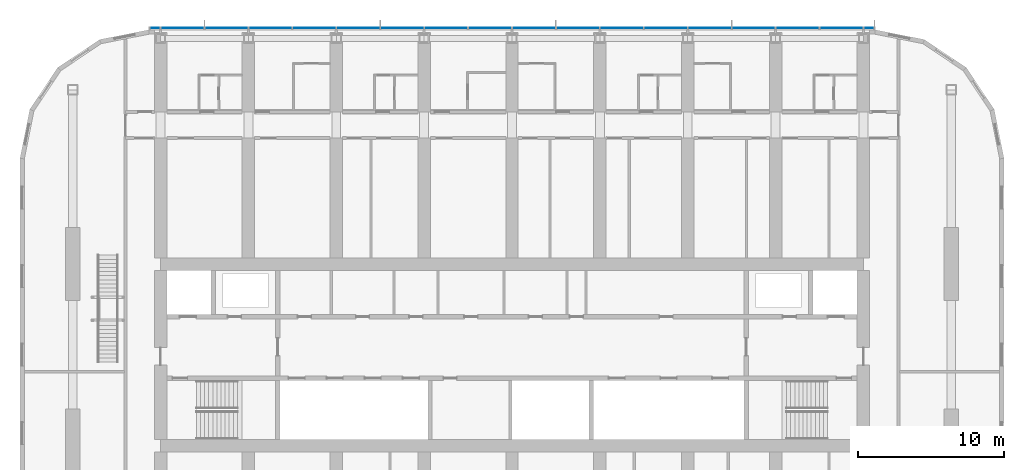
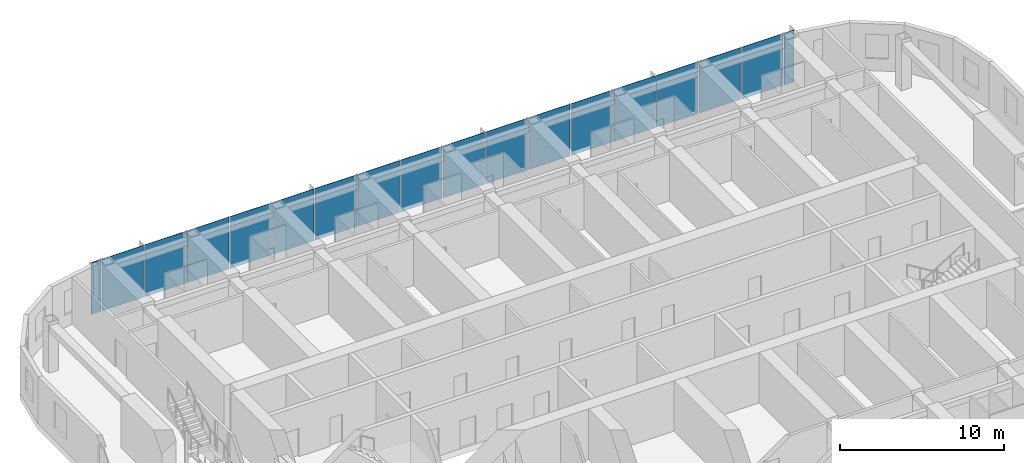
# One storey, part 11 of 27: 18 plates, 1 element without a shape of its own.
"""IFC4 building model written with IfcOpenShell, lengths in metres."""

from ifc_helpers import new_model, si_unit, direction, frame, origin, origin_2d, place, context, subcontext, project, spatial, rectangle, extrude, material, layer, layer_set, type_object, element, aggregate, save


model = new_model("IFC4")

# Units and contexts
model_context = context("Model", 3, precision=1e-05, world=origin(), true_north=direction((0.0, 1.0)))
body_context = subcontext(model_context, "Body", "Model", "MODEL_VIEW")
ifc_project = project(units=[si_unit("LENGTHUNIT", "METRE"), si_unit("AREAUNIT", "SQUARE_METRE"), si_unit("VOLUMEUNIT", "CUBIC_METRE"), si_unit("PLANEANGLEUNIT", "RADIAN"), si_unit("MASSUNIT", "GRAM", prefix="KILO")], contexts=[model_context])

# Site, building, storey
site_placement = place(None, origin())
site = spatial("IfcSite", under=ifc_project, at=site_placement, CompositionType="ELEMENT")
building_placement = place(site_placement, origin())
building = spatial("IfcBuilding", under=site, at=building_placement, Name="Orbita Commons", CompositionType="ELEMENT")
storey_placement = place(building_placement, frame((0.0, 0.0, 178.60009765625)))
storey = spatial("IfcBuildingStorey", under=building, at=storey_placement, Name="L44", CompositionType="ELEMENT", Elevation=178.60009765625)

# Curtain wall, plates
ifc_material_1 = material(Name="Anodised aluminium frame, pale silver", Category="aluminium")
curtain_wall_type = type_object("IfcCurtainWallType", Name="Unitised curtain wall CW-U, full-height vision", PredefinedType="NOTDEFINED", material=ifc_material_1)
curtain_wall_placement = place(storey_placement, origin())
curtain_wall = element("IfcCurtainWall", 1, at=curtain_wall_placement, inside=storey, type_object=curtain_wall_type, Name="Curtain wall north L44", PredefinedType="NOTDEFINED")
ifc_material_2 = material(Name="Clear double glazing", Category="glass")
ifc_layer = layer(ifc_material_2, 0.031982421875)
ifc_layer_set = layer_set([ifc_layer], Name="Clear double glazing")
plate_type = type_object("IfcPlateType", Name="Full-height vision panel, clear glazing 32", PredefinedType="CURTAIN_PANEL", material=ifc_layer_set)
plate_1_placement = place(storey_placement, frame((66.3798828125, 54.31005859375, -0.35009765625), z_axis=(0.0, 0.0, 1.0), x_axis=(-1.0, 0.0, 0.0)))
plate_1 = element("IfcPlate", 2, at=plate_1_placement, type_object=plate_type, Name="Panel 1.1 CW-L44-N", PredefinedType="CURTAIN_PANEL", context=body_context, shape_type="SweptSolid", body=[
    extrude(rectangle(XDim=0.679931640625, YDim=0.031982421875, at=origin_2d()), origin(), (0.0, 0.0, 1.0), 3.85009765625),
])
plate_2_placement = place(storey_placement, frame((64.5, 54.31005859375, -0.35009765625), z_axis=(0.0, 0.0, 1.0), x_axis=(-1.0, 0.0, 0.0)))
plate_2 = element("IfcPlate", 3, at=plate_2_placement, type_object=plate_type, Name="Panel 2.1 CW-L44-N", PredefinedType="CURTAIN_PANEL", context=body_context, shape_type="SweptSolid", body=[
    extrude(rectangle(XDim=2.919921875, YDim=0.031982421875, at=origin_2d()), origin(), (0.0, 0.0, 1.0), 3.85009765625),
])
plate_3_placement = place(storey_placement, frame((61.5, 54.31005859375, -0.35009765625), z_axis=(0.0, 0.0, 1.0), x_axis=(-1.0, 0.0, 0.0)))
plate_3 = element("IfcPlate", 4, at=plate_3_placement, type_object=plate_type, Name="Panel 3.1 CW-L44-N", PredefinedType="CURTAIN_PANEL", context=body_context, shape_type="SweptSolid", body=[
    extrude(rectangle(XDim=2.919921875, YDim=0.031982421875, at=origin_2d()), origin(), (0.0, 0.0, 1.0), 3.85009765625),
])
plate_4_placement = place(storey_placement, frame((58.5, 54.31005859375, -0.35009765625), z_axis=(0.0, 0.0, 1.0), x_axis=(-1.0, 0.0, 0.0)))
plate_4 = element("IfcPlate", 5, at=plate_4_placement, type_object=plate_type, Name="Panel 4.1 CW-L44-N", PredefinedType="CURTAIN_PANEL", context=body_context, shape_type="SweptSolid", body=[
    extrude(rectangle(XDim=2.919921875, YDim=0.031982421875, at=origin_2d()), origin(), (0.0, 0.0, 1.0), 3.85009765625),
])
plate_5_placement = place(storey_placement, frame((55.5, 54.31005859375, -0.35009765625), z_axis=(0.0, 0.0, 1.0), x_axis=(-1.0, 0.0, 0.0)))
plate_5 = element("IfcPlate", 6, at=plate_5_placement, type_object=plate_type, Name="Panel 5.1 CW-L44-N", PredefinedType="CURTAIN_PANEL", context=body_context, shape_type="SweptSolid", body=[
    extrude(rectangle(XDim=2.919921875, YDim=0.031982421875, at=origin_2d()), origin(), (0.0, 0.0, 1.0), 3.85009765625),
])
plate_6_placement = place(storey_placement, frame((52.5, 54.31005859375, -0.35009765625), z_axis=(0.0, 0.0, 1.0), x_axis=(-1.0, 0.0, 0.0)))
plate_6 = element("IfcPlate", 7, at=plate_6_placement, type_object=plate_type, Name="Panel 6.1 CW-L44-N", PredefinedType="CURTAIN_PANEL", context=body_context, shape_type="SweptSolid", body=[
    extrude(rectangle(XDim=2.919921875, YDim=0.031982421875, at=origin_2d()), origin(), (0.0, 0.0, 1.0), 3.85009765625),
])
plate_7_placement = place(storey_placement, frame((49.5, 54.31005859375, -0.35009765625), z_axis=(0.0, 0.0, 1.0), x_axis=(-1.0, 0.0, 0.0)))
plate_7 = element("IfcPlate", 8, at=plate_7_placement, type_object=plate_type, Name="Panel 7.1 CW-L44-N", PredefinedType="CURTAIN_PANEL", context=body_context, shape_type="SweptSolid", body=[
    extrude(rectangle(XDim=2.919921875, YDim=0.031982421875, at=origin_2d()), origin(), (0.0, 0.0, 1.0), 3.85009765625),
])
plate_8_placement = place(storey_placement, frame((46.5, 54.31005859375, -0.35009765625), z_axis=(0.0, 0.0, 1.0), x_axis=(-1.0, 0.0, 0.0)))
plate_8 = element("IfcPlate", 9, at=plate_8_placement, type_object=plate_type, Name="Panel 8.1 CW-L44-N", PredefinedType="CURTAIN_PANEL", context=body_context, shape_type="SweptSolid", body=[
    extrude(rectangle(XDim=2.919921875, YDim=0.031982421875, at=origin_2d()), origin(), (0.0, 0.0, 1.0), 3.85009765625),
])
plate_9_placement = place(storey_placement, frame((43.5, 54.31005859375, -0.35009765625), z_axis=(0.0, 0.0, 1.0), x_axis=(-1.0, 0.0, 0.0)))
plate_9 = element("IfcPlate", 10, at=plate_9_placement, type_object=plate_type, Name="Panel 9.1 CW-L44-N", PredefinedType="CURTAIN_PANEL", context=body_context, shape_type="SweptSolid", body=[
    extrude(rectangle(XDim=2.919921875, YDim=0.031982421875, at=origin_2d()), origin(), (0.0, 0.0, 1.0), 3.85009765625),
])
plate_10_placement = place(storey_placement, frame((40.5, 54.31005859375, -0.35009765625), z_axis=(0.0, 0.0, 1.0), x_axis=(-1.0, 0.0, 0.0)))
plate_10 = element("IfcPlate", 11, at=plate_10_placement, type_object=plate_type, Name="Panel 10.1 CW-L44-N", PredefinedType="CURTAIN_PANEL", context=body_context, shape_type="SweptSolid", body=[
    extrude(rectangle(XDim=2.919921875, YDim=0.031982421875, at=origin_2d()), origin(), (0.0, 0.0, 1.0), 3.85009765625),
])
plate_11_placement = place(storey_placement, frame((37.5, 54.31005859375, -0.35009765625), z_axis=(0.0, 0.0, 1.0), x_axis=(-1.0, 0.0, 0.0)))
plate_11 = element("IfcPlate", 12, at=plate_11_placement, type_object=plate_type, Name="Panel 11.1 CW-L44-N", PredefinedType="CURTAIN_PANEL", context=body_context, shape_type="SweptSolid", body=[
    extrude(rectangle(XDim=2.919921875, YDim=0.031982421875, at=origin_2d()), origin(), (0.0, 0.0, 1.0), 3.85009765625),
])
plate_12_placement = place(storey_placement, frame((34.5, 54.31005859375, -0.35009765625), z_axis=(0.0, 0.0, 1.0), x_axis=(-1.0, 0.0, 0.0)))
plate_12 = element("IfcPlate", 13, at=plate_12_placement, type_object=plate_type, Name="Panel 12.1 CW-L44-N", PredefinedType="CURTAIN_PANEL", context=body_context, shape_type="SweptSolid", body=[
    extrude(rectangle(XDim=2.919921875, YDim=0.031982421875, at=origin_2d()), origin(), (0.0, 0.0, 1.0), 3.85009765625),
])
plate_13_placement = place(storey_placement, frame((31.5, 54.31005859375, -0.35009765625), z_axis=(0.0, 0.0, 1.0), x_axis=(-1.0, 0.0, 0.0)))
plate_13 = element("IfcPlate", 14, at=plate_13_placement, type_object=plate_type, Name="Panel 13.1 CW-L44-N", PredefinedType="CURTAIN_PANEL", context=body_context, shape_type="SweptSolid", body=[
    extrude(rectangle(XDim=2.919921875, YDim=0.031982421875, at=origin_2d()), origin(), (0.0, 0.0, 1.0), 3.85009765625),
])
plate_14_placement = place(storey_placement, frame((28.5, 54.31005859375, -0.35009765625), z_axis=(0.0, 0.0, 1.0), x_axis=(-1.0, 0.0, 0.0)))
plate_14 = element("IfcPlate", 15, at=plate_14_placement, type_object=plate_type, Name="Panel 14.1 CW-L44-N", PredefinedType="CURTAIN_PANEL", context=body_context, shape_type="SweptSolid", body=[
    extrude(rectangle(XDim=2.919921875, YDim=0.031982421875, at=origin_2d()), origin(), (0.0, 0.0, 1.0), 3.85009765625),
])
plate_15_placement = place(storey_placement, frame((25.5, 54.31005859375, -0.35009765625), z_axis=(0.0, 0.0, 1.0), x_axis=(-1.0, 0.0, 0.0)))
plate_15 = element("IfcPlate", 16, at=plate_15_placement, type_object=plate_type, Name="Panel 15.1 CW-L44-N", PredefinedType="CURTAIN_PANEL", context=body_context, shape_type="SweptSolid", body=[
    extrude(rectangle(XDim=2.919921875, YDim=0.031982421875, at=origin_2d()), origin(), (0.0, 0.0, 1.0), 3.85009765625),
])
plate_16_placement = place(storey_placement, frame((22.5, 54.31005859375, -0.35009765625), z_axis=(0.0, 0.0, 1.0), x_axis=(-1.0, 0.0, 0.0)))
plate_16 = element("IfcPlate", 17, at=plate_16_placement, type_object=plate_type, Name="Panel 16.1 CW-L44-N", PredefinedType="CURTAIN_PANEL", context=body_context, shape_type="SweptSolid", body=[
    extrude(rectangle(XDim=2.919921875, YDim=0.031982421875, at=origin_2d()), origin(), (0.0, 0.0, 1.0), 3.85009765625),
])
plate_17_placement = place(storey_placement, frame((19.5, 54.31005859375, -0.35009765625), z_axis=(0.0, 0.0, 1.0), x_axis=(-1.0, 0.0, 0.0)))
plate_17 = element("IfcPlate", 18, at=plate_17_placement, type_object=plate_type, Name="Panel 17.1 CW-L44-N", PredefinedType="CURTAIN_PANEL", context=body_context, shape_type="SweptSolid", body=[
    extrude(rectangle(XDim=2.919921875, YDim=0.031982421875, at=origin_2d()), origin(), (0.0, 0.0, 1.0), 3.85009765625),
])
plate_18_placement = place(storey_placement, frame((17.6201171875, 54.31005859375, -0.35009765625), z_axis=(0.0, 0.0, 1.0), x_axis=(-1.0, 0.0, 0.0)))
plate_18 = element("IfcPlate", 19, at=plate_18_placement, type_object=plate_type, Name="Panel 18.1 CW-L44-N", PredefinedType="CURTAIN_PANEL", context=body_context, shape_type="SweptSolid", body=[
    extrude(rectangle(XDim=0.679931640625, YDim=0.031982421875, at=origin_2d()), origin(), (0.0, 0.0, 1.0), 3.85009765625),
])
aggregate(curtain_wall, [plate_1, plate_2, plate_3, plate_4, plate_5, plate_6, plate_7, plate_8, plate_9, plate_10, plate_11, plate_12, plate_13, plate_14, plate_15, plate_16, plate_17, plate_18])

save(model, "model.ifc")
